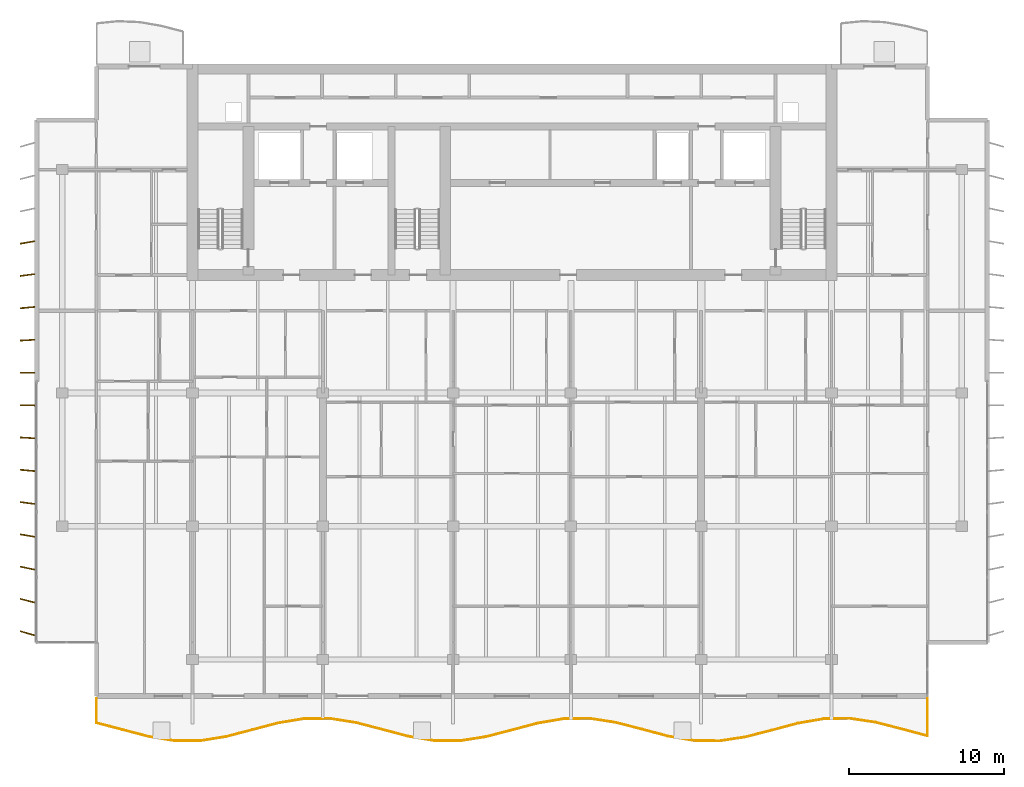
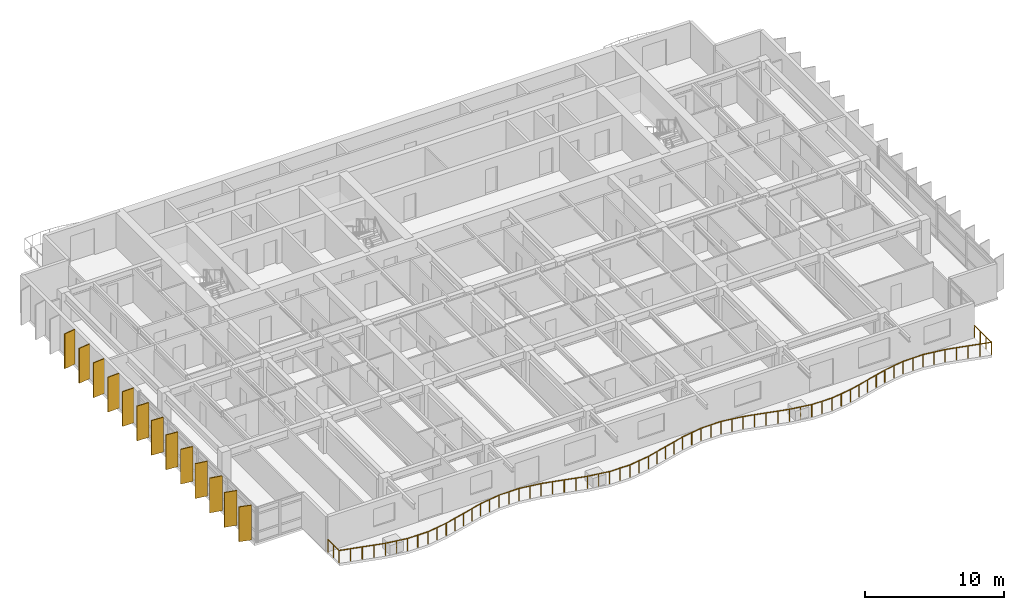
# One storey, part 12 of 16: 13 shading devices, 1 railing.
"""IFC4 building model written with IfcOpenShell, lengths in metres."""

from ifc_helpers import new_model, si_unit, direction, frame, origin, origin_2d, place, context, subcontext, project, spatial, rectangle, circle, extrude, material, material_profile, profile_set, type_object, element, save


model = new_model("IFC4")

# Units and contexts
model_context = context("Model", 3, precision=1e-05, world=origin(), true_north=direction((0.0, 1.0)))
body_context = subcontext(model_context, "Body", "Model", "MODEL_VIEW")
ifc_project = project(units=[si_unit("LENGTHUNIT", "METRE"), si_unit("AREAUNIT", "SQUARE_METRE"), si_unit("VOLUMEUNIT", "CUBIC_METRE"), si_unit("PLANEANGLEUNIT", "RADIAN"), si_unit("MASSUNIT", "GRAM", prefix="KILO")], contexts=[model_context])

# Site, building, storey
site_placement = place(None, origin())
site = spatial("IfcSite", under=ifc_project, at=site_placement, CompositionType="ELEMENT")
building_placement = place(site_placement, origin())
building = spatial("IfcBuilding", under=site, at=building_placement, Name="Caelmar Bay Residences", CompositionType="ELEMENT")
storey_placement = place(building_placement, frame((0.0, 0.0, 249.60009765625)))
storey = spatial("IfcBuildingStorey", under=building, at=storey_placement, Name="L70", CompositionType="ELEMENT", Elevation=249.60009765625)

# Railing
ifc_material_1 = material(Name="Anodised bronze handrail with laminated hurricane glass infill", Category="glass")
railing_type = type_object("IfcRailingType", Name="RL-BAL-1100", PredefinedType="BALUSTRADE", material=ifc_material_1)
railing_placement = place(storey_placement, frame((12.10009765625, 9.699951171875, 0.0)))
element("IfcRailing", 1, at=railing_placement, inside=storey, type_object=railing_type, Name="L70 south Balcony Balustrade", PredefinedType="BALUSTRADE", context=body_context, shape_type="SweptSolid", body=[
    extrude(circle(Radius=0.02392578125, at=origin_2d()), frame((0.0, 0.0, 1.076171875), z_axis=(0.0, -1.0, 0.0), x_axis=(1.0, 0.0, 0.0)), (0.0, 0.0, 1.0), 1.5791015625),
    extrude(circle(Radius=0.02392578125, at=origin_2d()), frame((0.0, -1.5791015625, 1.076171875), z_axis=(0.967256930125, -0.253799194493, 0.0), x_axis=(0.253799194493, 0.967256930125, 0.0)), (0.0, 0.0, 1.0), 1.7314453125),
    extrude(circle(Radius=0.02392578125, at=origin_2d()), frame((1.6748046875, -2.0185546875, 1.076171875), z_axis=(0.967196770145, -0.254028360268, 0.0), x_axis=(0.254028360268, 0.967196770145, 0.0)), (0.0, 0.0, 1.0), 1.73193359375),
    extrude(circle(Radius=0.02392578125, at=origin_2d()), frame((3.349853515625, -2.45849609375, 1.076171875), z_axis=(0.986936615289, -0.161109023338, 0.0), x_axis=(0.161109023338, 0.986936615289, 0.0)), (0.0, 0.0, 1.0), 1.697265625),
    extrude(circle(Radius=0.02392578125, at=origin_2d()), frame((5.02490234375, -2.73193359375, 1.076171875), z_axis=(0.999998470475, -0.001749013503, 0.0), x_axis=(0.001749013503, 0.999998470475, 0.0)), (0.0, 0.0, 1.0), 1.675048828125),
    extrude(circle(Radius=0.02392578125, at=origin_2d()), frame((6.699951171875, -2.73486328125, 1.076171875), z_axis=(0.987412776217, 0.158164500957, 0.0), x_axis=(-0.158164500957, 0.987412776217, 0.0)), (0.0, 0.0, 1.0), 1.6962890625),
    extrude(circle(Radius=0.02392578125, at=origin_2d()), frame((8.375, -2.466552734375, 1.076171875), z_axis=(0.967429805303, 0.253139431562, 0.0), x_axis=(-0.253139431562, 0.967429805303, 0.0)), (0.0, 0.0, 1.0), 1.731201171875),
    extrude(circle(Radius=0.02392578125, at=origin_2d()), frame((10.0498046875, -2.0283203125, 1.076171875), z_axis=(0.967023397818, 0.254687549899, 0.0), x_axis=(-0.254687549899, 0.967023397818, 0.0)), (0.0, 0.0, 1.0), 1.732177734375),
    extrude(circle(Radius=0.02392578125, at=origin_2d()), frame((11.724853515625, -1.587158203125, 1.076171875), z_axis=(0.986614558633, 0.163069655953, 0.0), x_axis=(-0.163069655953, 0.986614558633, 0.0)), (0.0, 0.0, 1.0), 1.69775390625),
    extrude(circle(Radius=0.02392578125, at=origin_2d()), frame((13.39990234375, -1.310302734375, 1.076171875), z_axis=(0.999989792676, 0.004518245675, 0.0), x_axis=(-0.004518245675, 0.999989792676, 0.0)), (0.0, 0.0, 1.0), 1.675048828125),
    extrude(circle(Radius=0.02392578125, at=origin_2d()), frame((15.074951171875, -1.302734375, 1.076171875), z_axis=(0.987703364346, -0.156339579315, 0.0), x_axis=(0.156339579315, 0.987703364346, 0.0)), (0.0, 0.0, 1.0), 1.69580078125),
    extrude(circle(Radius=0.02392578125, at=origin_2d()), frame((16.75, -1.56787109375, 1.076171875), z_axis=(0.967636742586, -0.252347249634, 0.0), x_axis=(0.252347249634, 0.967636742586, 0.0)), (0.0, 0.0, 1.0), 1.730712890625),
    extrude(circle(Radius=0.02392578125, at=origin_2d()), frame((18.4248046875, -2.004638671875, 1.076171875), z_axis=(0.966849638687, -0.255346384682, 0.0), x_axis=(0.255346384682, 0.966849638687, 0.0)), (0.0, 0.0, 1.0), 1.732421875),
    extrude(circle(Radius=0.02392578125, at=origin_2d()), frame((20.099853515625, -2.447021484375, 1.076171875), z_axis=(0.986288822241, -0.165028358539, 0.0), x_axis=(0.165028358539, 0.986288822241, 0.0)), (0.0, 0.0, 1.0), 1.6982421875),
    extrude(circle(Radius=0.02392578125, at=origin_2d()), frame((21.77490234375, -2.727294921875, 1.076171875), z_axis=(0.999975528438, -0.006995893509, 0.0), x_axis=(0.006995893509, 0.999975528438, 0.0)), (0.0, 0.0, 1.0), 1.675048828125),
    extrude(circle(Radius=0.02392578125, at=origin_2d()), frame((23.449951171875, -2.739013671875, 1.076171875), z_axis=(0.98803467442, 0.154231910262, 0.0), x_axis=(-0.154231910262, 0.98803467442, 0.0)), (0.0, 0.0, 1.0), 1.6953125),
    extrude(circle(Radius=0.02392578125, at=origin_2d()), frame((25.125, -2.4775390625, 1.076171875), z_axis=(0.967843119183, 0.251554559986, 0.0), x_axis=(-0.251554559986, 0.967843119183, 0.0)), (0.0, 0.0, 1.0), 1.73046875),
    extrude(circle(Radius=0.02392578125, at=origin_2d()), frame((26.7998046875, -2.042236328125, 1.076171875), z_axis=(0.966675493447, 0.256004863955, 0.0), x_axis=(-0.256004863955, 0.966675493447, 0.0)), (0.0, 0.0, 1.0), 1.73291015625),
    extrude(circle(Radius=0.02392578125, at=origin_2d()), frame((28.474853515625, -1.5986328125, 1.076171875), z_axis=(0.985959417458, 0.166985110492, 0.0), x_axis=(-0.166985110492, 0.985959417458, 0.0)), (0.0, 0.0, 1.0), 1.698974609375),
    extrude(circle(Radius=0.02392578125, at=origin_2d()), frame((30.14990234375, -1.31494140625, 1.076171875), z_axis=(0.999953734965, 0.009619143931, 0.0), x_axis=(-0.009619143931, 0.999953734965, 0.0)), (0.0, 0.0, 1.0), 1.675048828125),
    extrude(circle(Radius=0.02392578125, at=origin_2d()), frame((31.824951171875, -1.298828125, 1.076171875), z_axis=(0.988361703259, -0.152122133602, 0.0), x_axis=(0.152122133602, 0.988361703259, 0.0)), (0.0, 0.0, 1.0), 1.69482421875),
    extrude(circle(Radius=0.02392578125, at=origin_2d()), frame((33.5, -1.556640625, 1.076171875), z_axis=(0.968048933905, -0.250761363783, 0.0), x_axis=(0.250761363783, 0.968048933905, 0.0)), (0.0, 0.0, 1.0), 1.72998046875),
    extrude(circle(Radius=0.02392578125, at=origin_2d()), frame((35.1748046875, -1.990478515625, 1.076171875), z_axis=(0.96646601047, -0.25679456888, 0.0), x_axis=(0.25679456888, 0.96646601047, 0.0)), (0.0, 0.0, 1.0), 1.733154296875),
    extrude(circle(Radius=0.02392578125, at=origin_2d()), frame((36.849853515625, -2.435546875, 1.076171875), z_axis=(0.985626355736, -0.16893989132, 0.0), x_axis=(0.16893989132, 0.985626355736, 0.0)), (0.0, 0.0, 1.0), 1.699462890625),
    extrude(circle(Radius=0.02392578125, at=origin_2d()), frame((38.52490234375, -2.72265625, 1.076171875), z_axis=(0.999926834948, -0.012096476796, 0.0), x_axis=(0.012096476796, 0.999926834948, 0.0)), (0.0, 0.0, 1.0), 1.67529296875),
    extrude(circle(Radius=0.02392578125, at=origin_2d()), frame((40.199951171875, -2.742919921875, 1.076171875), z_axis=(0.98868443766, 0.150010275412, 0.0), x_axis=(-0.150010275412, 0.98868443766, 0.0)), (0.0, 0.0, 1.0), 1.6943359375),
    extrude(circle(Radius=0.02392578125, at=origin_2d()), frame((41.875, -2.48876953125, 1.076171875), z_axis=(0.968254185562, 0.249967662191, 0.0), x_axis=(-0.249967662191, 0.968254185562, 0.0)), (0.0, 0.0, 1.0), 1.729736328125),
    extrude(circle(Radius=0.02392578125, at=origin_2d()), frame((43.5498046875, -2.056396484375, 1.076171875), z_axis=(0.966326047411, 0.257320753333, 0.0), x_axis=(-0.257320753333, 0.966326047411, 0.0)), (0.0, 0.0, 1.0), 1.7333984375),
    extrude(circle(Radius=0.02392578125, at=origin_2d()), frame((45.224853515625, -1.6103515625, 1.076171875), z_axis=(0.985289648633, 0.17089268064, 0.0), x_axis=(-0.17089268064, 0.985289648633, 0.0)), (0.0, 0.0, 1.0), 1.699951171875),
    extrude(circle(Radius=0.02392578125, at=origin_2d()), frame((46.89990234375, -1.31982421875, 1.076171875), z_axis=(0.999891665362, 0.014719291386, 0.0), x_axis=(-0.014719291386, 0.999891665362, 0.0)), (0.0, 0.0, 1.0), 1.67529296875),
    extrude(circle(Radius=0.02392578125, at=origin_2d()), frame((48.574951171875, -1.295166015625, 1.076171875), z_axis=(0.989002864573, -0.147896361908, 0.0), x_axis=(0.147896361908, 0.989002864573, 0.0)), (0.0, 0.0, 1.0), 1.693603515625),
    extrude(circle(Radius=0.02392578125, at=origin_2d()), frame((50.25, -1.545654296875, 1.076171875), z_axis=(0.96845887297, -0.249173456384, 0.0), x_axis=(0.249173456384, 0.96845887297, 0.0)), (0.0, 0.0, 1.0), 1.729248046875),
    extrude(circle(Radius=0.02392578125, at=origin_2d()), frame((51.9248046875, -1.9765625, 1.076171875), z_axis=(0.966150748003, -0.257978162125, 0.0), x_axis=(0.257978162125, 0.966150748003, 0.0)), (0.0, 0.0, 1.0), 1.733642578125),
    extrude(circle(Radius=0.02392578125, at=origin_2d()), frame((53.599853515625, -2.423828125, 1.076171875), z_axis=(0.0, 1.0, 0.0), x_axis=(-1.0, 0.0, 0.0)), (0.0, 0.0, 1.0), 2.423828125),
    extrude(circle(Radius=0.02099609375, at=origin_2d()), origin(), (0.0, 0.0, 1.0), 1.052001953125),
    extrude(circle(Radius=0.02099609375, at=origin_2d()), frame((0.0, -0.78955078125, 0.0)), (0.0, 0.0, 1.0), 1.052001953125),
    extrude(circle(Radius=0.02099609375, at=origin_2d()), frame((0.0, -1.5791015625, 0.0)), (0.0, 0.0, 1.0), 1.052001953125),
    extrude(circle(Radius=0.02099609375, at=origin_2d()), frame((0.83740234375, -1.798828125, 0.0)), (0.0, 0.0, 1.0), 1.052001953125),
    extrude(circle(Radius=0.02099609375, at=origin_2d()), frame((1.6748046875, -2.0185546875, 0.0)), (0.0, 0.0, 1.0), 1.052001953125),
    extrude(circle(Radius=0.02099609375, at=origin_2d()), frame((2.51220703125, -2.238525390625, 0.0)), (0.0, 0.0, 1.0), 1.052001953125),
    extrude(circle(Radius=0.02099609375, at=origin_2d()), frame((3.349853515625, -2.45849609375, 0.0)), (0.0, 0.0, 1.0), 1.052001953125),
    extrude(circle(Radius=0.02099609375, at=origin_2d()), frame((4.1875, -2.59521484375, 0.0)), (0.0, 0.0, 1.0), 1.052001953125),
    extrude(circle(Radius=0.02099609375, at=origin_2d()), frame((5.02490234375, -2.73193359375, 0.0)), (0.0, 0.0, 1.0), 1.052001953125),
    extrude(circle(Radius=0.02099609375, at=origin_2d()), frame((5.8623046875, -2.7333984375, 0.0)), (0.0, 0.0, 1.0), 1.052001953125),
    extrude(circle(Radius=0.02099609375, at=origin_2d()), frame((6.699951171875, -2.73486328125, 0.0)), (0.0, 0.0, 1.0), 1.052001953125),
    extrude(circle(Radius=0.02099609375, at=origin_2d()), frame((7.53759765625, -2.6005859375, 0.0)), (0.0, 0.0, 1.0), 1.052001953125),
    extrude(circle(Radius=0.02099609375, at=origin_2d()), frame((8.375, -2.466552734375, 0.0)), (0.0, 0.0, 1.0), 1.052001953125),
    extrude(circle(Radius=0.02099609375, at=origin_2d()), frame((9.21240234375, -2.24755859375, 0.0)), (0.0, 0.0, 1.0), 1.052001953125),
    extrude(circle(Radius=0.02099609375, at=origin_2d()), frame((10.0498046875, -2.0283203125, 0.0)), (0.0, 0.0, 1.0), 1.052001953125),
    extrude(circle(Radius=0.02099609375, at=origin_2d()), frame((10.88720703125, -1.8076171875, 0.0)), (0.0, 0.0, 1.0), 1.052001953125),
    extrude(circle(Radius=0.02099609375, at=origin_2d()), frame((11.724853515625, -1.587158203125, 0.0)), (0.0, 0.0, 1.0), 1.052001953125),
    extrude(circle(Radius=0.02099609375, at=origin_2d()), frame((12.5625, -1.44873046875, 0.0)), (0.0, 0.0, 1.0), 1.052001953125),
    extrude(circle(Radius=0.02099609375, at=origin_2d()), frame((13.39990234375, -1.310302734375, 0.0)), (0.0, 0.0, 1.0), 1.052001953125),
    extrude(circle(Radius=0.02099609375, at=origin_2d()), frame((14.2373046875, -1.306640625, 0.0)), (0.0, 0.0, 1.0), 1.052001953125),
    extrude(circle(Radius=0.02099609375, at=origin_2d()), frame((15.074951171875, -1.302734375, 0.0)), (0.0, 0.0, 1.0), 1.052001953125),
    extrude(circle(Radius=0.02099609375, at=origin_2d()), frame((15.91259765625, -1.435302734375, 0.0)), (0.0, 0.0, 1.0), 1.052001953125),
    extrude(circle(Radius=0.02099609375, at=origin_2d()), frame((16.75, -1.56787109375, 0.0)), (0.0, 0.0, 1.0), 1.052001953125),
    extrude(circle(Radius=0.02099609375, at=origin_2d()), frame((17.58740234375, -1.7861328125, 0.0)), (0.0, 0.0, 1.0), 1.052001953125),
    extrude(circle(Radius=0.02099609375, at=origin_2d()), frame((18.4248046875, -2.004638671875, 0.0)), (0.0, 0.0, 1.0), 1.052001953125),
    extrude(circle(Radius=0.02099609375, at=origin_2d()), frame((19.26220703125, -2.225830078125, 0.0)), (0.0, 0.0, 1.0), 1.052001953125),
    extrude(circle(Radius=0.02099609375, at=origin_2d()), frame((20.099853515625, -2.447021484375, 0.0)), (0.0, 0.0, 1.0), 1.052001953125),
    extrude(circle(Radius=0.02099609375, at=origin_2d()), frame((20.9375, -2.587158203125, 0.0)), (0.0, 0.0, 1.0), 1.052001953125),
    extrude(circle(Radius=0.02099609375, at=origin_2d()), frame((21.77490234375, -2.727294921875, 0.0)), (0.0, 0.0, 1.0), 1.052001953125),
    extrude(circle(Radius=0.02099609375, at=origin_2d()), frame((22.6123046875, -2.733154296875, 0.0)), (0.0, 0.0, 1.0), 1.052001953125),
    extrude(circle(Radius=0.02099609375, at=origin_2d()), frame((23.449951171875, -2.739013671875, 0.0)), (0.0, 0.0, 1.0), 1.052001953125),
    extrude(circle(Radius=0.02099609375, at=origin_2d()), frame((24.28759765625, -2.6083984375, 0.0)), (0.0, 0.0, 1.0), 1.052001953125),
    extrude(circle(Radius=0.02099609375, at=origin_2d()), frame((25.125, -2.4775390625, 0.0)), (0.0, 0.0, 1.0), 1.052001953125),
    extrude(circle(Radius=0.02099609375, at=origin_2d()), frame((25.96240234375, -2.259765625, 0.0)), (0.0, 0.0, 1.0), 1.052001953125),
    extrude(circle(Radius=0.02099609375, at=origin_2d()), frame((26.7998046875, -2.042236328125, 0.0)), (0.0, 0.0, 1.0), 1.052001953125),
    extrude(circle(Radius=0.02099609375, at=origin_2d()), frame((27.63720703125, -1.8203125, 0.0)), (0.0, 0.0, 1.0), 1.052001953125),
    extrude(circle(Radius=0.02099609375, at=origin_2d()), frame((28.474853515625, -1.5986328125, 0.0)), (0.0, 0.0, 1.0), 1.052001953125),
    extrude(circle(Radius=0.02099609375, at=origin_2d()), frame((29.3125, -1.456787109375, 0.0)), (0.0, 0.0, 1.0), 1.052001953125),
    extrude(circle(Radius=0.02099609375, at=origin_2d()), frame((30.14990234375, -1.31494140625, 0.0)), (0.0, 0.0, 1.0), 1.052001953125),
    extrude(circle(Radius=0.02099609375, at=origin_2d()), frame((30.9873046875, -1.306884765625, 0.0)), (0.0, 0.0, 1.0), 1.052001953125),
    extrude(circle(Radius=0.02099609375, at=origin_2d()), frame((31.824951171875, -1.298828125, 0.0)), (0.0, 0.0, 1.0), 1.052001953125),
    extrude(circle(Radius=0.02099609375, at=origin_2d()), frame((32.66259765625, -1.427734375, 0.0)), (0.0, 0.0, 1.0), 1.052001953125),
    extrude(circle(Radius=0.02099609375, at=origin_2d()), frame((33.5, -1.556640625, 0.0)), (0.0, 0.0, 1.0), 1.052001953125),
    extrude(circle(Radius=0.02099609375, at=origin_2d()), frame((34.33740234375, -1.7734375, 0.0)), (0.0, 0.0, 1.0), 1.052001953125),
    extrude(circle(Radius=0.02099609375, at=origin_2d()), frame((35.1748046875, -1.990478515625, 0.0)), (0.0, 0.0, 1.0), 1.052001953125),
    extrude(circle(Radius=0.02099609375, at=origin_2d()), frame((36.01220703125, -2.212890625, 0.0)), (0.0, 0.0, 1.0), 1.052001953125),
    extrude(circle(Radius=0.02099609375, at=origin_2d()), frame((36.849853515625, -2.435546875, 0.0)), (0.0, 0.0, 1.0), 1.052001953125),
    extrude(circle(Radius=0.02099609375, at=origin_2d()), frame((37.6875, -2.5791015625, 0.0)), (0.0, 0.0, 1.0), 1.052001953125),
    extrude(circle(Radius=0.02099609375, at=origin_2d()), frame((38.52490234375, -2.72265625, 0.0)), (0.0, 0.0, 1.0), 1.052001953125),
    extrude(circle(Radius=0.02099609375, at=origin_2d()), frame((39.3623046875, -2.73291015625, 0.0)), (0.0, 0.0, 1.0), 1.052001953125),
    extrude(circle(Radius=0.02099609375, at=origin_2d()), frame((40.199951171875, -2.742919921875, 0.0)), (0.0, 0.0, 1.0), 1.052001953125),
    extrude(circle(Radius=0.02099609375, at=origin_2d()), frame((41.03759765625, -2.61572265625, 0.0)), (0.0, 0.0, 1.0), 1.052001953125),
    extrude(circle(Radius=0.02099609375, at=origin_2d()), frame((41.875, -2.48876953125, 0.0)), (0.0, 0.0, 1.0), 1.052001953125),
    extrude(circle(Radius=0.02099609375, at=origin_2d()), frame((42.71240234375, -2.2724609375, 0.0)), (0.0, 0.0, 1.0), 1.052001953125),
    extrude(circle(Radius=0.02099609375, at=origin_2d()), frame((43.5498046875, -2.056396484375, 0.0)), (0.0, 0.0, 1.0), 1.052001953125),
    extrude(circle(Radius=0.02099609375, at=origin_2d()), frame((44.38720703125, -1.83349609375, 0.0)), (0.0, 0.0, 1.0), 1.052001953125),
    extrude(circle(Radius=0.02099609375, at=origin_2d()), frame((45.224853515625, -1.6103515625, 0.0)), (0.0, 0.0, 1.0), 1.052001953125),
    extrude(circle(Radius=0.02099609375, at=origin_2d()), frame((46.0625, -1.465087890625, 0.0)), (0.0, 0.0, 1.0), 1.052001953125),
    extrude(circle(Radius=0.02099609375, at=origin_2d()), frame((46.89990234375, -1.31982421875, 0.0)), (0.0, 0.0, 1.0), 1.052001953125),
    extrude(circle(Radius=0.02099609375, at=origin_2d()), frame((47.7373046875, -1.3076171875, 0.0)), (0.0, 0.0, 1.0), 1.052001953125),
    extrude(circle(Radius=0.02099609375, at=origin_2d()), frame((48.574951171875, -1.295166015625, 0.0)), (0.0, 0.0, 1.0), 1.052001953125),
    extrude(circle(Radius=0.02099609375, at=origin_2d()), frame((49.41259765625, -1.42041015625, 0.0)), (0.0, 0.0, 1.0), 1.052001953125),
    extrude(circle(Radius=0.02099609375, at=origin_2d()), frame((50.25, -1.545654296875, 0.0)), (0.0, 0.0, 1.0), 1.052001953125),
    extrude(circle(Radius=0.02099609375, at=origin_2d()), frame((51.08740234375, -1.76123046875, 0.0)), (0.0, 0.0, 1.0), 1.052001953125),
    extrude(circle(Radius=0.02099609375, at=origin_2d()), frame((51.9248046875, -1.9765625, 0.0)), (0.0, 0.0, 1.0), 1.052001953125),
    extrude(circle(Radius=0.02099609375, at=origin_2d()), frame((52.76220703125, -2.2001953125, 0.0)), (0.0, 0.0, 1.0), 1.052001953125),
    extrude(circle(Radius=0.02099609375, at=origin_2d()), frame((53.599853515625, -2.423828125, 0.0)), (0.0, 0.0, 1.0), 1.052001953125),
    extrude(circle(Radius=0.02099609375, at=origin_2d()), frame((53.599853515625, -1.615966796875, 0.0)), (0.0, 0.0, 1.0), 1.052001953125),
    extrude(circle(Radius=0.02099609375, at=origin_2d()), frame((53.599853515625, -0.807861328125, 0.0)), (0.0, 0.0, 1.0), 1.052001953125),
    extrude(circle(Radius=0.02099609375, at=origin_2d()), frame((53.599853515625, 0.0, 0.0)), (0.0, 0.0, 1.0), 1.052001953125),
])

# Shading devices
ifc_material_2 = material(Name="Anodised architectural bronze aluminium 6063-T6", Category="aluminium")
ifc_material_profile = material_profile(ifc_material_2, rectangle(XDim=0.074951171875, YDim=0.949951171875, at=origin_2d()), Name="BRONZE-FIN-75X950")
ifc_profile_set = profile_set([ifc_material_profile], Name="Anodised architectural bronze aluminium 6063-T6")
shading_device_type = type_object("IfcShadingDeviceType", Name="SHD-FIN-950", PredefinedType="USERDEFINED", material=ifc_profile_set)
for number, where, z_axis, x_axis, name in (
    (2, (7.64990234375, 13.89990234375, 0.0), (0.0, 0.0, 1.0), (0.275637355817, 0.961261695938, 0.0), "L70 West Bronze Solar Fin 1"),
    (3, (7.64990234375, 16.0, 0.0), (0.0, 0.0, 1.0), (0.239719743609, 0.970842131618, 0.0), "L70 West Bronze Solar Fin 2"),
    (4, (7.64990234375, 18.10009765625, 0.0), (0.0, 0.0, 1.0), (0.2032999874, 0.979116497217, 0.0), "L70 West Bronze Solar Fin 3"),
    (5, (7.64990234375, 20.199951171875, 0.0), (0.0, 0.0, 1.0), (0.166768746716, 0.985996037071, 0.0), "L70 West Bronze Solar Fin 4"),
    (6, (7.64990234375, 22.300048828125, 0.0), (0.0, 0.0, 1.0), (0.130007055036, 0.99151306882, 0.0), "L70 West Bronze Solar Fin 5"),
    (7, (7.64990234375, 24.39990234375, 0.0), (0.0, 0.0, 1.0), (0.092891934994, 0.995676196569, 0.0), "L70 West Bronze Solar Fin 6"),
    (8, (7.64990234375, 26.5, 0.0), (0.0, 0.0, 1.0), (0.055821504993, 0.998440764182, 0.0), "L70 West Bronze Solar Fin 7"),
    (9, (7.64990234375, 28.60009765625, 0.0), (0.0, 0.0, 1.0), (0.018673937509, 0.999825626826, 0.0), "L70 West Bronze Solar Fin 8"),
    (10, (7.64990234375, 30.699951171875, 0.0), (0.0, 0.0, 1.0), (-0.018673937509, 0.999825626826, 0.0), "L70 West Bronze Solar Fin 9"),
    (11, (7.64990234375, 32.800048828125, 0.0), (0.0, 0.0, 1.0), (-0.055821504993, 0.998440764182, 0.0), "L70 West Bronze Solar Fin 10"),
    (12, (7.64990234375, 34.89990234375, 0.0), (0.0, 0.0, 1.0), (-0.092891934994, 0.995676196569, 0.0), "L70 West Bronze Solar Fin 11"),
    (13, (7.64990234375, 37.0, 0.0), (0.0, 0.0, 1.0), (-0.130007055036, 0.99151306882, 0.0), "L70 West Bronze Solar Fin 12"),
    (14, (7.64990234375, 39.10009765625, 0.0), (0.0, 0.0, 1.0), (-0.166768746716, 0.985996037071, 0.0), "L70 West Bronze Solar Fin 13"),
):
    element("IfcShadingDevice", number, at=place(storey_placement, frame(where, z_axis=z_axis, x_axis=x_axis)), inside=storey, type_object=shading_device_type, Name=name, ObjectType="FIN", PredefinedType="USERDEFINED", context=body_context, shape_type="SweptSolid", body=[
        extrude(rectangle(XDim=0.074951171875, YDim=0.949951171875, at=origin_2d()), origin(), (0.0, 0.0, 1.0), 3.0498046875),
    ])

save(model, "model.ifc")
